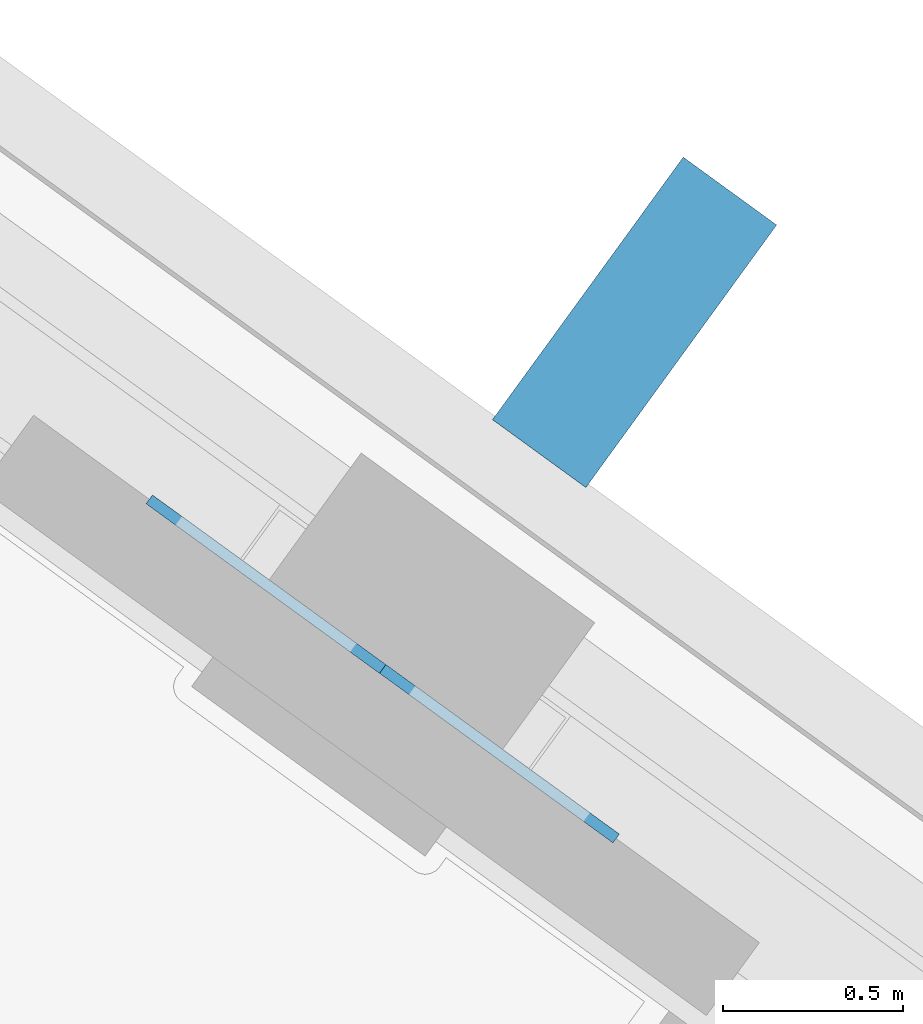
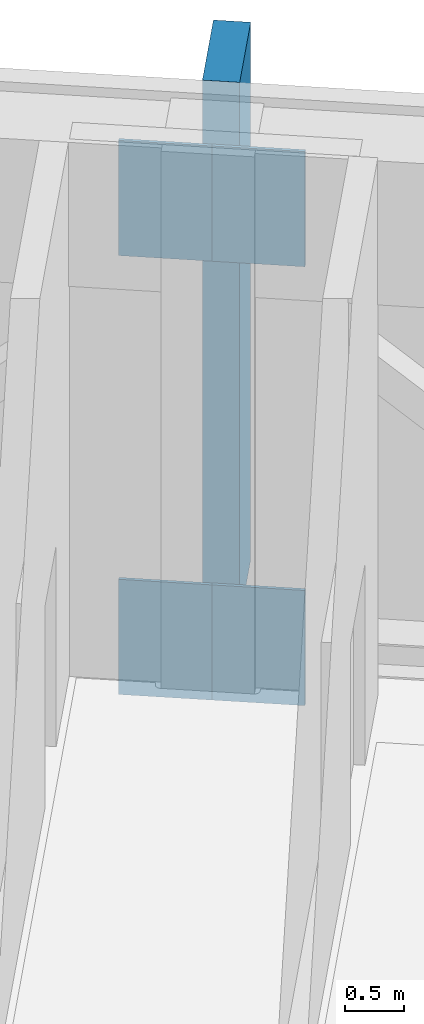
# One storey, part 6 of 15: 5 plates.
"""IFC4 building model written with IfcOpenShell, lengths in metres."""

from ifc_helpers import new_model, si_unit, direction, frame, origin, origin_2d, place, context, subcontext, project, spatial, rectangle, extrude, material, layer, layer_set, type_object, element, save


model = new_model("IFC4")

# Units and contexts
model_context = context("Model", 3, precision=1e-05, world=origin(), true_north=direction((0.0, 1.0)))
body_context = subcontext(model_context, "Body", "Model", "MODEL_VIEW")
ifc_project = project(units=[si_unit("LENGTHUNIT", "METRE"), si_unit("AREAUNIT", "SQUARE_METRE"), si_unit("VOLUMEUNIT", "CUBIC_METRE"), si_unit("PLANEANGLEUNIT", "RADIAN"), si_unit("MASSUNIT", "GRAM", prefix="KILO")], contexts=[model_context])

# Site, building, storey
site_placement = place(None, origin())
site = spatial("IfcSite", under=ifc_project, at=site_placement, CompositionType="ELEMENT")
building_placement = place(site_placement, origin())
building = spatial("IfcBuilding", under=site, at=building_placement, Name="Quipu Civic Tower", CompositionType="ELEMENT")
storey_placement = place(building_placement, frame((0.0, 0.0, 242.0)))
storey = spatial("IfcBuildingStorey", under=building, at=storey_placement, Name="L57", CompositionType="ELEMENT", Elevation=242.0)

# Plates
ifc_material_1 = material(Name="Steel ASTM A572 Grade 50 (fy 345 MPa)", Category="steel")
ifc_layer_1 = layer(ifc_material_1, 0.030029296875)
ifc_layer_set_1 = layer_set([ifc_layer_1], Name="Steel ASTM A572 Grade 50 (fy 345 MPa)")
plate_type_1 = type_object("IfcPlateType", Name="Cast in plate BC5", PredefinedType="SHEET", material=ifc_layer_set_1)
for number, where, z_axis, x_axis, name in (
    (1, (32.931640625, 17.118408203125, -0.32177734375), (0.0, 0.0, 1.0), (0.809006735464, -0.587799372213, 0.0), "Cast-in plate BC5 L57 056"),
    (2, (32.284423828125, 17.58837890625, -0.32177734375), (0.0, 0.0, 1.0), (0.809006735464, -0.587799372213, 0.0), "Cast-in plate BC5 L57 059"),
):
    element("IfcPlate", number, at=place(storey_placement, frame(where, z_axis=z_axis, x_axis=x_axis)), inside=storey, type_object=plate_type_1, Name=name, PredefinedType="SHEET", context=body_context, shape_type="SweptSolid", body=[
        extrude(rectangle(XDim=0.800048828125, YDim=0.030029296875, at=origin_2d()), origin(), (0.0, 0.0, 1.0), 1.199951171875),
    ])
ifc_material_2 = material(Name="Steel ASTM A572 Grade 50 (fy 345 MPa)", Category="steel")
ifc_layer_2 = layer(ifc_material_2, 0.030029296875)
ifc_layer_set_2 = layer_set([ifc_layer_2], Name="Steel ASTM A572 Grade 50 (fy 345 MPa)")
plate_type_2 = type_object("IfcPlateType", Name="Cast in plate TC1", PredefinedType="SHEET", material=ifc_layer_set_2)
for number, where, z_axis, x_axis, name in (
    (3, (32.931640625, 17.118408203125, 4.25), (0.0, 0.0, 1.0), (0.809006735464, -0.587799372213, 0.0), "Cast-in plate TC1 L57 055"),
    (4, (32.284423828125, 17.58837890625, 4.25), (0.0, 0.0, 1.0), (0.809006735464, -0.587799372213, 0.0), "Cast-in plate TC1 L57 058"),
):
    element("IfcPlate", number, at=place(storey_placement, frame(where, z_axis=z_axis, x_axis=x_axis)), inside=storey, type_object=plate_type_2, Name=name, PredefinedType="SHEET", context=body_context, shape_type="SweptSolid", body=[
        extrude(rectangle(XDim=0.800048828125, YDim=0.030029296875, at=origin_2d()), origin(), (0.0, 0.0, 1.0), 1.199951171875),
    ])
ifc_material_3 = material(Name="Precast concrete C40/50", Category="concrete")
plate_type_3 = type_object("IfcPlateType", Name="Precast fin F3", PredefinedType="SHEET", material=ifc_material_3)
plate_placement = place(storey_placement, frame((33.306396484375, 18.314453125, 0.0), z_axis=(0.0, 0.0, 1.0), x_axis=(-0.809017072762, 0.587785144401, 0.0)))
element("IfcPlate", 5, at=plate_placement, inside=storey, type_object=plate_type_3, Name="Precast fin F3 L57.30.1", PredefinedType="SHEET", context=body_context, shape_type="SweptSolid", body=[
    extrude(rectangle(XDim=0.320068359375, YDim=0.89990234375, at=origin_2d()), origin(), (0.0, 0.0, 1.0), 5.60009765625),
])

save(model, "model.ifc")
